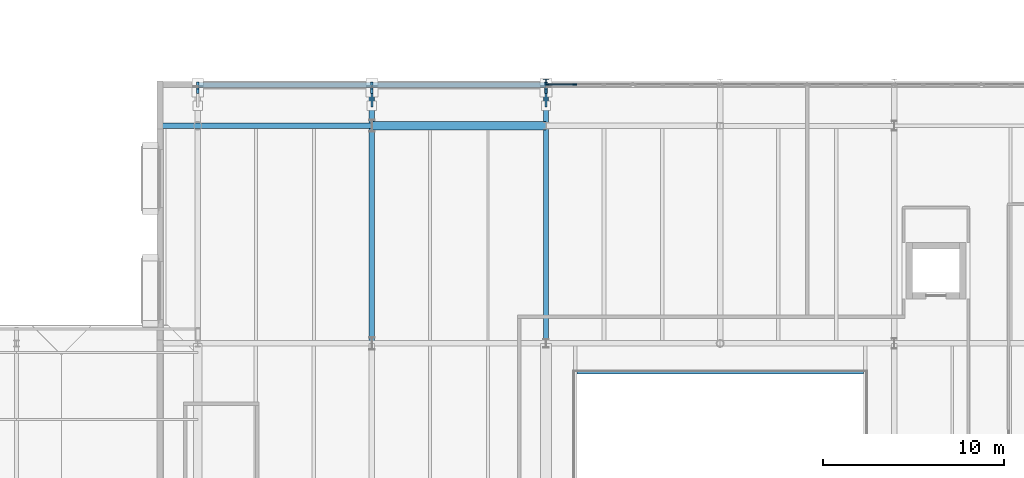
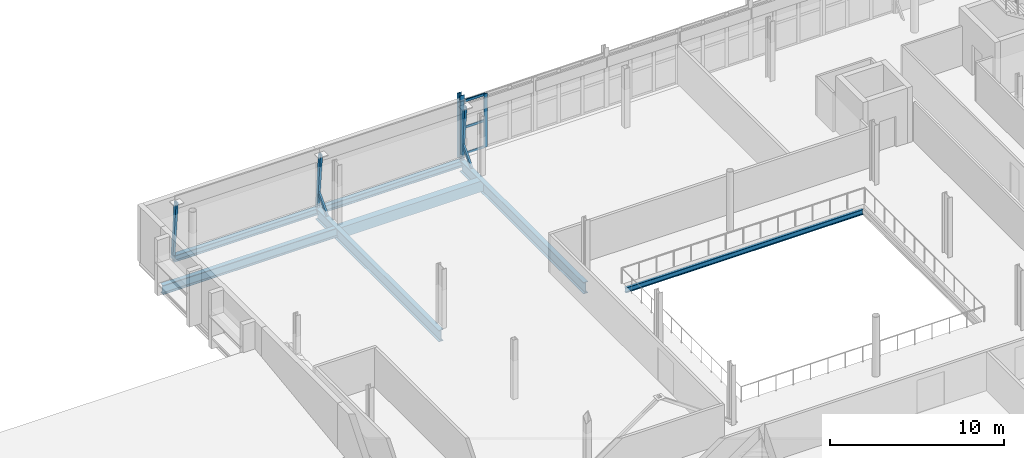
# One storey, part 29 of 90: 11 members, 7 beams, 1 element without a shape of its own.
"""IFC4 building model written with IfcOpenShell, lengths in metres."""

from ifc_helpers import new_model, si_unit, direction, frame, origin, origin_2d, place, context, subcontext, project, spatial, rectangle, hollow_rectangle, i_section, extrude, material, layer, layer_set, material_profile, profile_set, type_object, element, aggregate, save


model = new_model("IFC4")

# Units and contexts
model_context = context("Model", 3, precision=1e-05, world=origin(), true_north=direction((0.0, 1.0)))
body_context = subcontext(model_context, "Body", "Model", "MODEL_VIEW")
ifc_project = project(units=[si_unit("LENGTHUNIT", "METRE"), si_unit("AREAUNIT", "SQUARE_METRE"), si_unit("VOLUMEUNIT", "CUBIC_METRE"), si_unit("PLANEANGLEUNIT", "RADIAN"), si_unit("MASSUNIT", "GRAM", prefix="KILO")], contexts=[model_context])

# Site, building, storey
site_placement = place(None, origin())
site = spatial("IfcSite", under=ifc_project, at=site_placement, CompositionType="ELEMENT")
building_placement = place(site_placement, origin())
building = spatial("IfcBuilding", under=site, at=building_placement, Name="Zereglee Splitstone Museum", CompositionType="ELEMENT")
storey_placement = place(building_placement, frame((0.0, 0.0, 4.800048828125)))
storey = spatial("IfcBuildingStorey", under=building, at=storey_placement, Name="L01", CompositionType="ELEMENT", Elevation=4.800048828125)

# Curtain wall, members
ifc_material_1 = material(Name="Triple-glazed low-E argon glass and bronze-anodised aluminium", Category="aluminium")
ifc_layer = layer(ifc_material_1, 0.219970703125)
ifc_layer_set = layer_set([ifc_layer], Name="Triple-glazed low-E argon glass and bronze-anodised aluminium")
curtain_wall_type = type_object("IfcCurtainWallType", Name="CW-0476-376", PredefinedType="USERDEFINED", material=ifc_layer_set)
curtain_wall_placement = place(storey_placement, origin())
curtain_wall = element("IfcCurtainWall", 1, at=curtain_wall_placement, inside=storey, type_object=curtain_wall_type, Name="Glazed Curtain Wall CW-0476-376 (L01)", ObjectType="GLAZED CURTAIN WALL", PredefinedType="USERDEFINED")
ifc_material_2 = material(Name="Thermally broken bronze-anodised aluminium", Category="aluminium")
ifc_material_profile_1 = material_profile(ifc_material_2, rectangle(XDim=0.074951171875, YDim=0.219970703125, at=origin_2d()), Name="CW MULL 75x220")
ifc_profile_set_1 = profile_set([ifc_material_profile_1], Name="Thermally broken bronze-anodised aluminium")
member_type_1 = type_object("IfcMemberType", Name="CWM-02", PredefinedType="MULLION", material=ifc_profile_set_1)
member_1_placement = place(storey_placement, frame((98.78662109375, 52.679931640625, 0.0), z_axis=(0.0, 0.0, 1.0), x_axis=(0.0, -1.0, 0.0)))
member_1 = element("IfcMember", 2, at=member_1_placement, type_object=member_type_1, Name="CW-0476-376 mullion 3", PredefinedType="MULLION", context=body_context, shape_type="SweptSolid", body=[
    extrude(rectangle(XDim=0.074951171875, YDim=0.219970703125, at=origin_2d()), origin(), (0.0, 0.0, 1.0), 3.760009765625),
])
member_2_placement = place(storey_placement, frame((97.237548828125, 52.679931640625, 0.0), z_axis=(0.0, 0.0, 1.0), x_axis=(0.0, -1.0, 0.0)))
member_2 = element("IfcMember", 3, at=member_2_placement, type_object=member_type_1, Name="CW-0476-376 mullion 4", PredefinedType="MULLION", context=body_context, shape_type="SweptSolid", body=[
    extrude(rectangle(XDim=0.074951171875, YDim=0.219970703125, at=origin_2d()), origin(), (0.0, 0.0, 1.0), 3.760009765625),
])
ifc_material_profile_2 = material_profile(ifc_material_2, rectangle(XDim=0.074951171875, YDim=0.1650390625, at=origin_2d()), Name="CW TRAN 75x165")
ifc_profile_set_2 = profile_set([ifc_material_profile_2], Name="Thermally broken bronze-anodised aluminium")
member_type_2 = type_object("IfcMemberType", Name="CWT-02", PredefinedType="USERDEFINED", material=ifc_profile_set_2)
member_3_placement = place(storey_placement, frame((98.749267578125, 52.679931640625, 0.037353515625), z_axis=(-1.0, 0.0, 0.0), x_axis=(0.0, -1.0, 0.0)))
member_3 = element("IfcMember", 4, at=member_3_placement, type_object=member_type_2, Name="CW-0476-376 transom 3.1", ObjectType="TRANSOM", PredefinedType="USERDEFINED", context=body_context, shape_type="SweptSolid", body=[
    extrude(rectangle(XDim=0.074951171875, YDim=0.1650390625, at=origin_2d()), origin(), (0.0, 0.0, 1.0), 1.474365234375),
])
member_4_placement = place(storey_placement, frame((98.749267578125, 52.679931640625, 1.8798828125), z_axis=(-1.0, 0.0, 0.0), x_axis=(0.0, -1.0, 0.0)))
member_4 = element("IfcMember", 5, at=member_4_placement, type_object=member_type_2, Name="CW-0476-376 transom 3.2", ObjectType="TRANSOM", PredefinedType="USERDEFINED", context=body_context, shape_type="SweptSolid", body=[
    extrude(rectangle(XDim=0.074951171875, YDim=0.1650390625, at=origin_2d()), origin(), (0.0, 0.0, 1.0), 1.474365234375),
])
member_5_placement = place(storey_placement, frame((98.749267578125, 52.679931640625, 3.722412109375), z_axis=(-1.0, 0.0, 0.0), x_axis=(0.0, -1.0, 0.0)))
member_5 = element("IfcMember", 6, at=member_5_placement, type_object=member_type_2, Name="CW-0476-376 transom 3.3", ObjectType="TRANSOM", PredefinedType="USERDEFINED", context=body_context, shape_type="SweptSolid", body=[
    extrude(rectangle(XDim=0.074951171875, YDim=0.1650390625, at=origin_2d()), origin(), (0.0, 0.0, 1.0), 1.474365234375),
])
aggregate(curtain_wall, [member_1, member_2, member_3, member_4, member_5])

# Member
ifc_material_3 = material(Name="Steel S355J2", Category="steel")
ifc_material_profile_3 = material_profile(ifc_material_3, i_section(OverallWidth=0.300048828125, OverallDepth=0.360107421875, WebThickness=0.012451171875, FlangeThickness=0.0224609375, FilletRadius=0.027099609375, at=origin_2d()), Name="HE 360 B")
ifc_profile_set_3 = profile_set([ifc_material_profile_3], Name="Steel S355J2")
member_type_3 = type_object("IfcMemberType", Name="TC-06", PredefinedType="CHORD", material=ifc_profile_set_3)
member_6_placement = place(storey_placement, frame((97.199951171875, 52.800048828125, -0.35009765625), z_axis=(0.0, 0.0, 1.0), x_axis=(1.0, 0.0, 0.0)))
element("IfcMember", 7, at=member_6_placement, inside=storey, type_object=member_type_3, Name="Mughal Guldasta Hovering Portal Pier G09 L01", PredefinedType="CHORD", context=body_context, shape_type="SweptSolid", body=[
    extrude(i_section(OverallWidth=0.300048828125, OverallDepth=0.360107421875, WebThickness=0.012451171875, FlangeThickness=0.0224609375, FilletRadius=0.027099609375, at=origin_2d()), origin(), (0.0, 0.0, 1.0), 4.550048828125),
])

# Beams
ifc_material_profile_4 = material_profile(ifc_material_3, i_section(OverallWidth=0.300048828125, OverallDepth=0.64990234375, WebThickness=0.01611328125, FlangeThickness=0.031005859375, FilletRadius=0.027099609375, at=origin_2d()), Name="HE 650 B")
ifc_profile_set_4 = profile_set([ifc_material_profile_4], Name="Steel S355J2")
beam_type_1 = type_object("IfcBeamType", Name="BG-09", PredefinedType="BEAM", material=ifc_profile_set_4)
beam_1_placement = place(storey_placement, frame((75.949951171875, 50.39990234375, -0.625), z_axis=(1.0, 0.0, 0.0), x_axis=(0.0, 1.0, 0.0)))
element("IfcBeam", 8, at=beam_1_placement, inside=storey, type_object=beam_type_1, Name="Primary Girder L01 F (76.0-87.6)", PredefinedType="BEAM", context=body_context, shape_type="SweptSolid", body=[
    extrude(i_section(OverallWidth=0.300048828125, OverallDepth=0.64990234375, WebThickness=0.01611328125, FlangeThickness=0.031005859375, FilletRadius=0.027099609375, at=origin_2d()), origin(), (0.0, 0.0, 1.0), 11.650146484375),
])
ifc_material_profile_5 = material_profile(ifc_material_3, i_section(OverallWidth=0.300048828125, OverallDepth=0.800048828125, WebThickness=0.017578125, FlangeThickness=0.032958984375, FilletRadius=0.030029296875, at=origin_2d()), Name="HE 800 B")
ifc_profile_set_5 = profile_set([ifc_material_profile_5], Name="Steel S355J2")
beam_type_2 = type_object("IfcBeamType", Name="BG-07", PredefinedType="BEAM", material=ifc_profile_set_5)
for number, where, z_axis, x_axis, name in (
    (9, (87.60009765625, 38.39990234375, -0.699951171875), (0.0, 1.0, 0.0), (-1.0, 0.0, 0.0), "Primary Girder L01 11 (38.4-52.6)"),
    (10, (97.199951171875, 38.39990234375, -0.699951171875), (0.0, 1.0, 0.0), (-1.0, 0.0, 0.0), "Primary Girder L01 12 (38.4-52.6)"),
):
    element("IfcBeam", number, at=place(storey_placement, frame(where, z_axis=z_axis, x_axis=x_axis)), inside=storey, type_object=beam_type_2, Name=name, PredefinedType="BEAM", context=body_context, shape_type="SweptSolid", body=[
        extrude(i_section(OverallWidth=0.300048828125, OverallDepth=0.800048828125, WebThickness=0.017578125, FlangeThickness=0.032958984375, FilletRadius=0.030029296875, at=origin_2d()), origin(), (0.0, 0.0, 1.0), 14.25),
    ])
ifc_material_profile_6 = material_profile(ifc_material_3, i_section(OverallWidth=0.169921875, OverallDepth=0.360107421875, WebThickness=0.008056640625, FlangeThickness=0.0126953125, FilletRadius=0.01806640625, at=origin_2d()), Name="IPE 360")
ifc_profile_set_6 = profile_set([ifc_material_profile_6], Name="Steel S355J2")
beam_type_3 = type_object("IfcBeamType", Name="BJ-04", PredefinedType="JOIST", material=ifc_profile_set_6)
beam_2_placement = place(storey_placement, frame((98.89990234375, 36.800048828125, -0.47998046875), z_axis=(1.0, 0.0, 0.0), x_axis=(0.0, 1.0, 0.0)))
element("IfcBeam", 11, at=beam_2_placement, inside=storey, type_object=beam_type_3, Name="Atrium Rim Beam L01 N", PredefinedType="JOIST", context=body_context, shape_type="SweptSolid", body=[
    extrude(i_section(OverallWidth=0.169921875, OverallDepth=0.360107421875, WebThickness=0.008056640625, FlangeThickness=0.0126953125, FilletRadius=0.01806640625, at=origin_2d()), origin(), (0.0, 0.0, 1.0), 15.800048828125),
])
ifc_material_profile_7 = material_profile(ifc_material_3, i_section(OverallWidth=0.300048828125, OverallDepth=0.449951171875, WebThickness=0.013916015625, FlangeThickness=0.02587890625, FilletRadius=0.027099609375, at=origin_2d()), Name="HE 450 B")
ifc_profile_set_7 = profile_set([ifc_material_profile_7], Name="Steel S355J2")
beam_type_4 = type_object("IfcBeamType", Name="SP-02", PredefinedType="SPANDREL", material=ifc_profile_set_7)
beam_3_placement = place(storey_placement, frame((78.0, 52.64990234375, -0.525146484375), z_axis=(1.0, 0.0, 0.0), x_axis=(0.0, 1.0, 0.0)))
element("IfcBeam", 12, at=beam_3_placement, inside=storey, type_object=beam_type_4, Name="Hovering Soffit Spandrel L01 (78.0-87.6)", PredefinedType="SPANDREL", context=body_context, shape_type="SweptSolid", body=[
    extrude(i_section(OverallWidth=0.300048828125, OverallDepth=0.449951171875, WebThickness=0.013916015625, FlangeThickness=0.02587890625, FilletRadius=0.027099609375, at=origin_2d()), origin(), (0.0, 0.0, 1.0), 9.60009765625),
])
beam_4_placement = place(storey_placement, frame((87.60009765625, 52.64990234375, -0.525146484375), z_axis=(1.0, 0.0, 0.0), x_axis=(0.0, 1.0, 0.0)))
element("IfcBeam", 13, at=beam_4_placement, inside=storey, type_object=beam_type_4, Name="Hovering Soffit Spandrel L01 (87.6-97.2)", PredefinedType="SPANDREL", context=body_context, shape_type="SweptSolid", body=[
    extrude(i_section(OverallWidth=0.300048828125, OverallDepth=0.449951171875, WebThickness=0.013916015625, FlangeThickness=0.02587890625, FilletRadius=0.027099609375, at=origin_2d()), origin(), (0.0, 0.0, 1.0), 9.599853515625),
])
ifc_material_4 = material(Name="Concrete C40/50", Category="concrete")
ifc_material_profile_8 = material_profile(ifc_material_4, rectangle(XDim=0.449951171875, YDim=0.75, at=origin_2d()), Name="RC 450x750")
ifc_profile_set_8 = profile_set([ifc_material_profile_8], Name="Concrete C40/50")
beam_type_5 = type_object("IfcBeamType", Name="SP-01", PredefinedType="SPANDREL", material=ifc_profile_set_8)
beam_5_placement = place(storey_placement, frame((87.60009765625, 50.39990234375, -0.675048828125), z_axis=(1.0, 0.0, 0.0), x_axis=(0.0, 1.0, 0.0)))
element("IfcBeam", 14, at=beam_5_placement, inside=storey, type_object=beam_type_5, Name="Primary Girder L01 F (87.6-97.2)", PredefinedType="SPANDREL", context=body_context, shape_type="SweptSolid", body=[
    extrude(rectangle(XDim=0.449951171875, YDim=0.75, at=origin_2d()), origin(), (0.0, 0.0, 1.0), 9.599853515625),
])

# Members
ifc_material_5 = material(Name="Steel S355J2H", Category="steel")
ifc_material_profile_9 = material_profile(ifc_material_5, hollow_rectangle(XDim=0.14990234375, YDim=0.25, WallThickness=0.010009765625, at=origin_2d()), Name="RHS 250x150x10")
ifc_profile_set_9 = profile_set([ifc_material_profile_9], Name="Steel S355J2H")
member_type_4 = type_object("IfcMemberType", Name="FS-R2", PredefinedType="STRUT", material=ifc_profile_set_9)
for number, where, z_axis, x_axis, name in (
    (15, (78.0, 52.6865234375, -0.550048828125), (0.0, -0.090913341279, 0.995858807451), (1.0, 0.0, 0.0), "Split-Rock Continuous Facet Strut FH-V2NW L01-01"),
    (16, (87.60009765625, 52.6865234375, -0.550048828125), (0.0, -0.090913341279, 0.995858807451), (1.0, 0.0, 0.0), "Split-Rock Continuous Facet Strut FH-V2NW L01-02"),
    (17, (97.199951171875, 52.6865234375, -0.550048828125), (0.0, -0.090913341279, 0.995858807451), (1.0, 0.0, 0.0), "Split-Rock Continuous Facet Strut FH-V2NW L01-03"),
):
    element("IfcMember", number, at=place(storey_placement, frame(where, z_axis=z_axis, x_axis=x_axis)), inside=storey, type_object=member_type_4, Name=name, PredefinedType="STRUT", context=body_context, shape_type="SweptSolid", body=[
        extrude(hollow_rectangle(XDim=0.14990234375, YDim=0.25, WallThickness=0.010009765625, at=origin_2d()), origin(), (0.0, 0.0, 1.0), 4.197265625),
    ])
ifc_material_profile_10 = material_profile(ifc_material_5, hollow_rectangle(XDim=0.1201171875, YDim=0.199951171875, WallThickness=0.008056640625, at=origin_2d()), Name="RHS 200x120x8")
ifc_profile_set_10 = profile_set([ifc_material_profile_10], Name="Steel S355J2H")
member_type_5 = type_object("IfcMemberType", Name="FS-T1", PredefinedType="STRUT", material=ifc_profile_set_10)
for number, where, z_axis, x_axis, name in (
    (18, (87.60009765625, 51.5, -0.260009765625), (0.0, 0.67257975444, 0.740024644128), (-1.0, 0.0, 0.0), "Facet Tie-Back Strut FH-V2NW L01-02"),
    (19, (97.199951171875, 51.5, -0.260009765625), (0.0, 0.67257975444, 0.740024644128), (-1.0, 0.0, 0.0), "Facet Tie-Back Strut FH-V2NW L01-03"),
):
    element("IfcMember", number, at=place(storey_placement, frame(where, z_axis=z_axis, x_axis=x_axis)), inside=storey, type_object=member_type_5, Name=name, PredefinedType="STRUT", context=body_context, shape_type="SweptSolid", body=[
        extrude(hollow_rectangle(XDim=0.1201171875, YDim=0.199951171875, WallThickness=0.008056640625, at=origin_2d()), origin(), (0.0, 0.0, 1.0), 1.5673828125),
    ])

save(model, "model.ifc")
